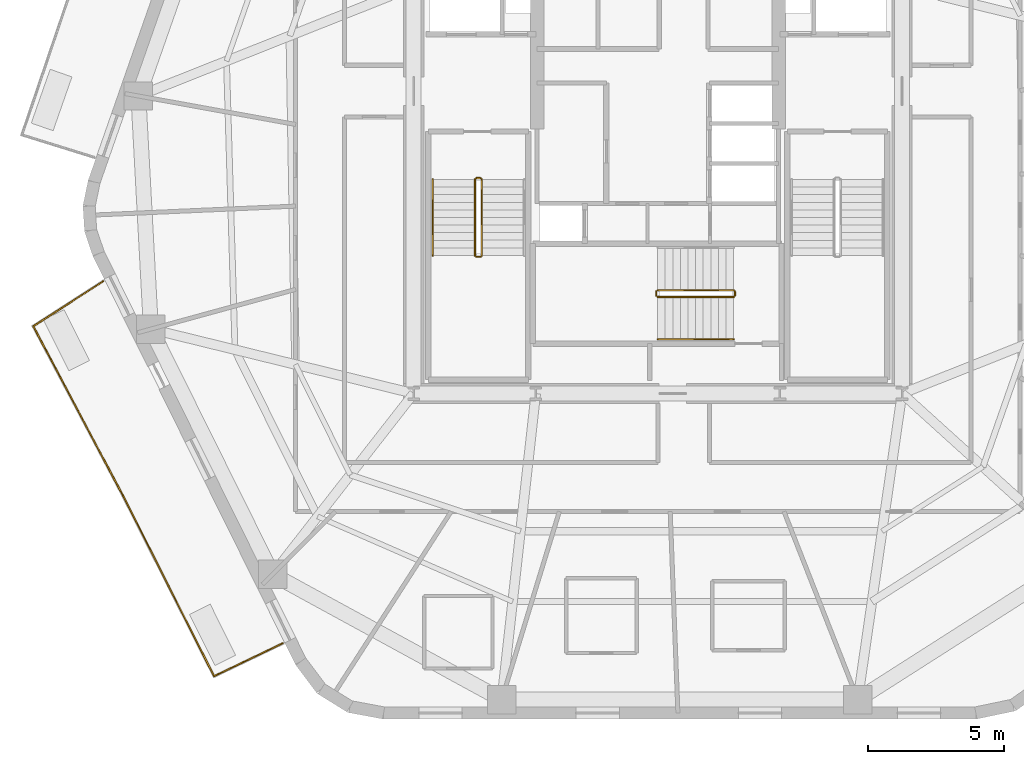
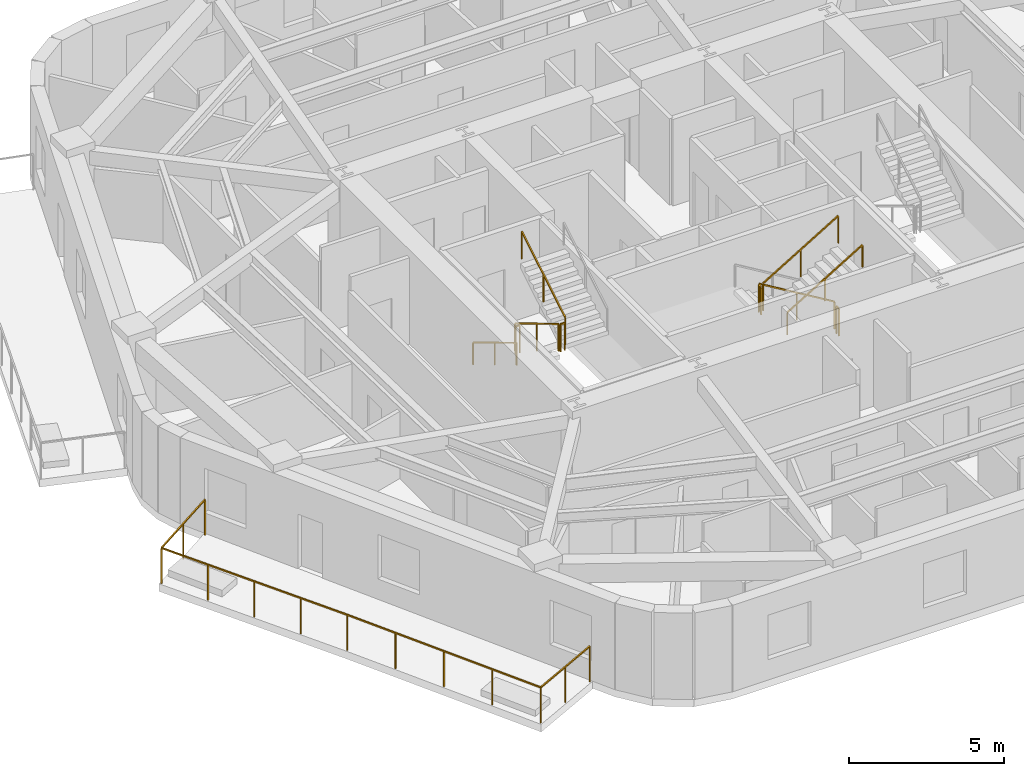
# One storey, part 8 of 10: 11 railings.
"""IFC4 building model written with IfcOpenShell, lengths in metres."""

from ifc_helpers import new_model, si_unit, direction, frame, origin, origin_2d, place, context, subcontext, project, spatial, rectangle, extrude, material, layer, layer_set, type_object, element, save


model = new_model("IFC4")

# Units and contexts
model_context = context("Model", 3, precision=1e-05, world=origin(), true_north=direction((0.0, 1.0)))
body_context = subcontext(model_context, "Body", "Model", "MODEL_VIEW")
ifc_project = project(units=[si_unit("LENGTHUNIT", "METRE"), si_unit("AREAUNIT", "SQUARE_METRE"), si_unit("VOLUMEUNIT", "CUBIC_METRE"), si_unit("PLANEANGLEUNIT", "RADIAN"), si_unit("MASSUNIT", "GRAM", prefix="KILO")], contexts=[model_context])

# Site, building, storey
site_placement = place(None, origin())
site = spatial("IfcSite", under=ifc_project, at=site_placement, CompositionType="ELEMENT")
building_placement = place(site_placement, origin())
building = spatial("IfcBuilding", under=site, at=building_placement, Name="Kilnhurst Terrace Hotel", CompositionType="ELEMENT")
storey_placement = place(building_placement, frame((0.0, 0.0, 179.300048828125)))
storey = spatial("IfcBuildingStorey", under=building, at=storey_placement, Name="L44", CompositionType="ELEMENT", Elevation=179.300048828125)

# Railings
ifc_material_1 = material(Name="Laminated SentryGlas and Stainless Steel AISI 316L Balustrade", Category="steel")
ifc_layer_1 = layer(ifc_material_1, 0.070068359375, Name="Laminated SentryGlas and Stainless Steel AISI 316L Balustrade")
ifc_layer_set_1 = layer_set([ifc_layer_1], Name="Laminated SentryGlas and Stainless Steel AISI 316L Balustrade")
railing_type_1 = type_object("IfcRailingType", Name="RLG-BAL-1420", PredefinedType="BALUSTRADE", material=ifc_layer_set_1)
railing_1_placement = place(storey_placement, frame((-13.83544921875, -16.709716796875, 0.0)))
element("IfcRailing", 1, at=railing_1_placement, inside=storey, type_object=railing_type_1, Name="L44 Exterior Terrace Guardrail BAL-L2B.1", PredefinedType="BALUSTRADE", context=body_context, shape_type="SweptSolid", body=[
    extrude(rectangle(XDim=0.048095703125, YDim=0.048095703125, at=origin_2d()), frame((0.0, 0.0, 1.39599609375), z_axis=(-0.901469931109, -0.43284173009, 0.0), x_axis=(0.43284173009, -0.901469931109, 0.0)), (0.0, 0.0, 1.0), 2.797119140625),
    extrude(rectangle(XDim=0.048095703125, YDim=0.048095703125, at=origin_2d()), frame((-2.521484375, -1.210693359375, 1.39599609375), z_axis=(-0.450616671131, 0.892717545307, 0.0), x_axis=(-0.892717545307, -0.450616671131, 0.0)), (0.0, 0.0, 1.0), 7.453857421875),
    extrude(rectangle(XDim=0.048095703125, YDim=0.048095703125, at=origin_2d()), frame((-5.88037109375, 5.443603515625, 1.39599609375), z_axis=(-0.4472135955, 0.894427191, 0.0), x_axis=(-0.894427191, -0.4472135955, 0.0)), (0.0, 0.0, 1.0), 0.0009765625),
    extrude(rectangle(XDim=0.048095703125, YDim=0.048095703125, at=origin_2d()), frame((-5.880859375, 5.444580078125, 1.39599609375), z_axis=(-0.46789407085, 0.883784554325, 0.0), x_axis=(-0.883784554325, -0.46789407085, 0.0)), (0.0, 0.0, 1.0), 7.0654296875),
    extrude(rectangle(XDim=0.048095703125, YDim=0.048095703125, at=origin_2d()), frame((-9.186767578125, 11.68896484375, 1.39599609375), z_axis=(0.841139546062, 0.540818143233, 0.0), x_axis=(-0.540818143233, 0.841139546062, 0.0)), (0.0, 0.0, 1.0), 3.056640625),
    extrude(rectangle(XDim=0.0419921875, YDim=0.0419921875, at=origin_2d()), origin(), (0.0, 0.0, 1.0), 1.371826171875),
    extrude(rectangle(XDim=0.0419921875, YDim=0.0419921875, at=origin_2d()), frame((-1.2607421875, -0.60546875, 0.0)), (0.0, 0.0, 1.0), 1.371826171875),
    extrude(rectangle(XDim=0.0419921875, YDim=0.0419921875, at=origin_2d()), frame((-2.521484375, -1.210693359375, 0.0)), (0.0, 0.0, 1.0), 1.371826171875),
    extrude(rectangle(XDim=0.0419921875, YDim=0.0419921875, at=origin_2d()), frame((-3.361328125, 0.452880859375, 0.0)), (0.0, 0.0, 1.0), 1.371826171875),
    extrude(rectangle(XDim=0.0419921875, YDim=0.0419921875, at=origin_2d()), frame((-4.200927734375, 2.116455078125, 0.0)), (0.0, 0.0, 1.0), 1.371826171875),
    extrude(rectangle(XDim=0.0419921875, YDim=0.0419921875, at=origin_2d()), frame((-5.04052734375, 3.780029296875, 0.0)), (0.0, 0.0, 1.0), 1.371826171875),
    extrude(rectangle(XDim=0.0419921875, YDim=0.0419921875, at=origin_2d()), frame((-5.88037109375, 5.443603515625, 0.0)), (0.0, 0.0, 1.0), 1.371826171875),
    extrude(rectangle(XDim=0.0419921875, YDim=0.0419921875, at=origin_2d()), frame((-5.880859375, 5.444580078125, 0.0)), (0.0, 0.0, 1.0), 1.371826171875),
    extrude(rectangle(XDim=0.0419921875, YDim=0.0419921875, at=origin_2d()), frame((-6.707275390625, 7.005615234375, 0.0)), (0.0, 0.0, 1.0), 1.371826171875),
    extrude(rectangle(XDim=0.0419921875, YDim=0.0419921875, at=origin_2d()), frame((-7.53369140625, 8.56689453125, 0.0)), (0.0, 0.0, 1.0), 1.371826171875),
    extrude(rectangle(XDim=0.0419921875, YDim=0.0419921875, at=origin_2d()), frame((-8.3603515625, 10.1279296875, 0.0)), (0.0, 0.0, 1.0), 1.371826171875),
    extrude(rectangle(XDim=0.0419921875, YDim=0.0419921875, at=origin_2d()), frame((-9.186767578125, 11.68896484375, 0.0)), (0.0, 0.0, 1.0), 1.371826171875),
    extrude(rectangle(XDim=0.0419921875, YDim=0.0419921875, at=origin_2d()), frame((-7.9013671875, 12.515625, 0.0)), (0.0, 0.0, 1.0), 1.371826171875),
    extrude(rectangle(XDim=0.0419921875, YDim=0.0419921875, at=origin_2d()), frame((-6.61572265625, 13.342041015625, 0.0)), (0.0, 0.0, 1.0), 1.371826171875),
])
ifc_material_2 = material(Name="Powder-Coated Steel ASTM A500 Grade B", Category="steel")
ifc_layer_2 = layer(ifc_material_2, 0.050048828125, Name="Powder-Coated Steel ASTM A500 Grade B")
ifc_layer_set_2 = layer_set([ifc_layer_2], Name="Powder-Coated Steel ASTM A500 Grade B")
railing_type_2 = type_object("IfcRailingType", Name="RLG-ST-GRD-1100", PredefinedType="GUARDRAIL", material=ifc_layer_set_2)
railing_2_placement = place(storey_placement, frame((-6.739990234375, 0.389892578125, 0.168212890625)))
element("IfcRailing", 2, at=railing_2_placement, inside=storey, type_object=railing_type_2, Name="L44 ST-1 stair guard 1", PredefinedType="GUARDRAIL", context=body_context, shape_type="SweptSolid", body=[
    extrude(rectangle(XDim=0.048095703125, YDim=0.048095703125, at=origin_2d()), frame((0.0, 0.0, 1.076171875), z_axis=(0.0, -0.857255387014, 0.514891446264), x_axis=(1.0, 0.0, 0.0)), (0.0, 0.0, 1.0), 3.26611328125),
    extrude(rectangle(XDim=0.0419921875, YDim=0.0419921875, at=origin_2d()), origin(), (0.0, 0.0, 1.0), 1.052001953125),
    extrude(rectangle(XDim=0.0419921875, YDim=0.0419921875, at=origin_2d()), frame((0.0, -1.39990234375, 0.8408203125)), (0.0, 0.0, 1.0), 1.052001953125),
    extrude(rectangle(XDim=0.0419921875, YDim=0.0419921875, at=origin_2d()), frame((0.0, -2.7998046875, 1.681640625)), (0.0, 0.0, 1.0), 1.052001953125),
])
railing_3_placement = place(storey_placement, frame((-6.68994140625, -2.4599609375, 1.849853515625)))
element("IfcRailing", 3, at=railing_3_placement, inside=storey, type_object=railing_type_2, Name="L44 ST-1 stair guard 2", PredefinedType="GUARDRAIL", context=body_context, shape_type="SweptSolid", body=[
    extrude(rectangle(XDim=0.048095703125, YDim=0.048095703125, at=origin_2d()), frame((0.0, 0.0, 1.076171875), z_axis=(1.0, 0.0, 0.0), x_axis=(0.0, 1.0, 0.0)), (0.0, 0.0, 1.0), 0.14990234375),
    extrude(rectangle(XDim=0.0419921875, YDim=0.0419921875, at=origin_2d()), origin(), (0.0, 0.0, 1.0), 1.052001953125),
    extrude(rectangle(XDim=0.0419921875, YDim=0.0419921875, at=origin_2d()), frame((0.14990234375, 0.0, 0.0)), (0.0, 0.0, 1.0), 1.052001953125),
])
railing_4_placement = place(storey_placement, frame((-6.489990234375, -2.409912109375, 2.01806640625)))
element("IfcRailing", 4, at=railing_4_placement, inside=storey, type_object=railing_type_2, Name="L44 ST-1 stair guard 3", PredefinedType="GUARDRAIL", context=body_context, shape_type="SweptSolid", body=[
    extrude(rectangle(XDim=0.048095703125, YDim=0.048095703125, at=origin_2d()), frame((0.0, 0.0, 1.076171875), z_axis=(0.0, 0.857222391501, 0.514946377315), x_axis=(-1.0, 0.0, 0.0)), (0.0, 0.0, 1.0), 3.26611328125),
    extrude(rectangle(XDim=0.0419921875, YDim=0.0419921875, at=origin_2d()), origin(), (0.0, 0.0, 1.0), 1.052001953125),
    extrude(rectangle(XDim=0.0419921875, YDim=0.0419921875, at=origin_2d()), frame((0.0, 1.39990234375, 0.8408203125)), (0.0, 0.0, 1.0), 1.052001953125),
    extrude(rectangle(XDim=0.0419921875, YDim=0.0419921875, at=origin_2d()), frame((0.0, 2.7998046875, 1.681884765625)), (0.0, 0.0, 1.0), 1.052001953125),
])
railing_5_placement = place(storey_placement, frame((-6.68994140625, 0.43994140625, 0.0)))
element("IfcRailing", 5, at=railing_5_placement, inside=storey, type_object=railing_type_2, Name="L44 ST-1 stair guard 4", PredefinedType="GUARDRAIL", context=body_context, shape_type="SweptSolid", body=[
    extrude(rectangle(XDim=0.048095703125, YDim=0.048095703125, at=origin_2d()), frame((0.0, 0.0, 1.076171875), z_axis=(1.0, 0.0, 0.0), x_axis=(0.0, 1.0, 0.0)), (0.0, 0.0, 1.0), 0.14990234375),
    extrude(rectangle(XDim=0.0419921875, YDim=0.0419921875, at=origin_2d()), origin(), (0.0, 0.0, 1.0), 1.052001953125),
    extrude(rectangle(XDim=0.0419921875, YDim=0.0419921875, at=origin_2d()), frame((0.14990234375, 0.0, 0.0)), (0.0, 0.0, 1.0), 1.052001953125),
])
railing_6_placement = place(storey_placement, frame((2.7900390625, -3.68994140625, 0.168212890625)))
element("IfcRailing", 6, at=railing_6_placement, inside=storey, type_object=railing_type_2, Name="L44 ST-3 stair guard 1", PredefinedType="GUARDRAIL", context=body_context, shape_type="SweptSolid", body=[
    extrude(rectangle(XDim=0.048095703125, YDim=0.048095703125, at=origin_2d()), frame((0.0, 0.0, 1.076171875), z_axis=(-0.857275202839, 0.0, 0.514858452973), x_axis=(0.0, -1.0, 0.0)), (0.0, 0.0, 1.0), 3.26611328125),
    extrude(rectangle(XDim=0.0419921875, YDim=0.0419921875, at=origin_2d()), origin(), (0.0, 0.0, 1.0), 1.052001953125),
    extrude(rectangle(XDim=0.0419921875, YDim=0.0419921875, at=origin_2d()), frame((-1.39990234375, 0.0, 0.8408203125)), (0.0, 0.0, 1.0), 1.052001953125),
    extrude(rectangle(XDim=0.0419921875, YDim=0.0419921875, at=origin_2d()), frame((-2.800048828125, 0.0, 1.681640625)), (0.0, 0.0, 1.0), 1.052001953125),
])
railing_7_placement = place(storey_placement, frame((-0.06005859375, -3.739990234375, 1.849853515625)))
element("IfcRailing", 7, at=railing_7_placement, inside=storey, type_object=railing_type_2, Name="L44 ST-3 stair guard 2", PredefinedType="GUARDRAIL", context=body_context, shape_type="SweptSolid", body=[
    extrude(rectangle(XDim=0.048095703125, YDim=0.048095703125, at=origin_2d()), frame((0.0, 0.0, 1.076171875), z_axis=(0.0, -1.0, 0.0), x_axis=(1.0, 0.0, 0.0)), (0.0, 0.0, 1.0), 0.14990234375),
    extrude(rectangle(XDim=0.0419921875, YDim=0.0419921875, at=origin_2d()), origin(), (0.0, 0.0, 1.0), 1.052001953125),
    extrude(rectangle(XDim=0.0419921875, YDim=0.0419921875, at=origin_2d()), frame((0.0, -0.14990234375, 0.0)), (0.0, 0.0, 1.0), 1.052001953125),
])
railing_8_placement = place(storey_placement, frame((-0.010009765625, -3.93994140625, 2.01806640625)))
element("IfcRailing", 8, at=railing_8_placement, inside=storey, type_object=railing_type_2, Name="L44 ST-3 stair guard 3", PredefinedType="GUARDRAIL", context=body_context, shape_type="SweptSolid", body=[
    extrude(rectangle(XDim=0.048095703125, YDim=0.048095703125, at=origin_2d()), frame((0.0, 0.0, 1.076171875), z_axis=(0.857242210791, 0.0, 0.514913383045), x_axis=(0.0, 1.0, 0.0)), (0.0, 0.0, 1.0), 3.266357421875),
    extrude(rectangle(XDim=0.0419921875, YDim=0.0419921875, at=origin_2d()), origin(), (0.0, 0.0, 1.0), 1.052001953125),
    extrude(rectangle(XDim=0.0419921875, YDim=0.0419921875, at=origin_2d()), frame((1.39990234375, 0.0, 0.8408203125)), (0.0, 0.0, 1.0), 1.052001953125),
    extrude(rectangle(XDim=0.0419921875, YDim=0.0419921875, at=origin_2d()), frame((2.800048828125, 0.0, 1.681884765625)), (0.0, 0.0, 1.0), 1.052001953125),
])
railing_9_placement = place(storey_placement, frame((2.840087890625, -3.739990234375, 0.0)))
element("IfcRailing", 9, at=railing_9_placement, inside=storey, type_object=railing_type_2, Name="L44 ST-3 stair guard 4", PredefinedType="GUARDRAIL", context=body_context, shape_type="SweptSolid", body=[
    extrude(rectangle(XDim=0.048095703125, YDim=0.048095703125, at=origin_2d()), frame((0.0, 0.0, 1.076171875), z_axis=(0.0, -1.0, 0.0), x_axis=(1.0, 0.0, 0.0)), (0.0, 0.0, 1.0), 0.14990234375),
    extrude(rectangle(XDim=0.0419921875, YDim=0.0419921875, at=origin_2d()), origin(), (0.0, 0.0, 1.0), 1.052001953125),
    extrude(rectangle(XDim=0.0419921875, YDim=0.0419921875, at=origin_2d()), frame((0.0, -0.14990234375, 0.0)), (0.0, 0.0, 1.0), 1.052001953125),
])
ifc_material_3 = material(Name="Brushed Stainless Steel AISI 304", Category="steel")
ifc_layer_3 = layer(ifc_material_3, 0.048095703125, Name="Brushed Stainless Steel AISI 304")
ifc_layer_set_3 = layer_set([ifc_layer_3], Name="Brushed Stainless Steel AISI 304")
railing_type_3 = type_object("IfcRailingType", Name="RLG-ST-HRL-900", PredefinedType="HANDRAIL", material=ifc_layer_set_3)
railing_10_placement = place(storey_placement, frame((-8.300048828125, 0.389892578125, 0.168212890625)))
element("IfcRailing", 10, at=railing_10_placement, inside=storey, type_object=railing_type_3, Name="L44 ST-1 stair handrail 1", PredefinedType="HANDRAIL", context=body_context, shape_type="SweptSolid", body=[
    extrude(rectangle(XDim=0.048095703125, YDim=0.048095703125, at=origin_2d()), frame((0.0, 0.0, 0.8759765625), z_axis=(0.0, -0.857255387014, 0.514891446264), x_axis=(1.0, 0.0, 0.0)), (0.0, 0.0, 1.0), 3.26611328125),
    extrude(rectangle(XDim=0.0419921875, YDim=0.0419921875, at=origin_2d()), origin(), (0.0, 0.0, 1.0), 0.851806640625),
    extrude(rectangle(XDim=0.0419921875, YDim=0.0419921875, at=origin_2d()), frame((0.0, -1.39990234375, 0.8408203125)), (0.0, 0.0, 1.0), 0.851806640625),
    extrude(rectangle(XDim=0.0419921875, YDim=0.0419921875, at=origin_2d()), frame((0.0, -2.7998046875, 1.681640625)), (0.0, 0.0, 1.0), 0.851806640625),
])
railing_11_placement = place(storey_placement, frame((-0.010009765625, -5.5, 2.01806640625)))
element("IfcRailing", 11, at=railing_11_placement, inside=storey, type_object=railing_type_3, Name="L44 ST-3 stair handrail 2", PredefinedType="HANDRAIL", context=body_context, shape_type="SweptSolid", body=[
    extrude(rectangle(XDim=0.048095703125, YDim=0.048095703125, at=origin_2d()), frame((0.0, 0.0, 0.8759765625), z_axis=(0.857242210791, 0.0, 0.514913383045), x_axis=(0.0, 1.0, 0.0)), (0.0, 0.0, 1.0), 3.266357421875),
    extrude(rectangle(XDim=0.0419921875, YDim=0.0419921875, at=origin_2d()), origin(), (0.0, 0.0, 1.0), 0.851806640625),
    extrude(rectangle(XDim=0.0419921875, YDim=0.0419921875, at=origin_2d()), frame((1.39990234375, 0.0, 0.8408203125)), (0.0, 0.0, 1.0), 0.851806640625),
    extrude(rectangle(XDim=0.0419921875, YDim=0.0419921875, at=origin_2d()), frame((2.800048828125, 0.0, 1.681884765625)), (0.0, 0.0, 1.0), 0.851806640625),
])

save(model, "model.ifc")
